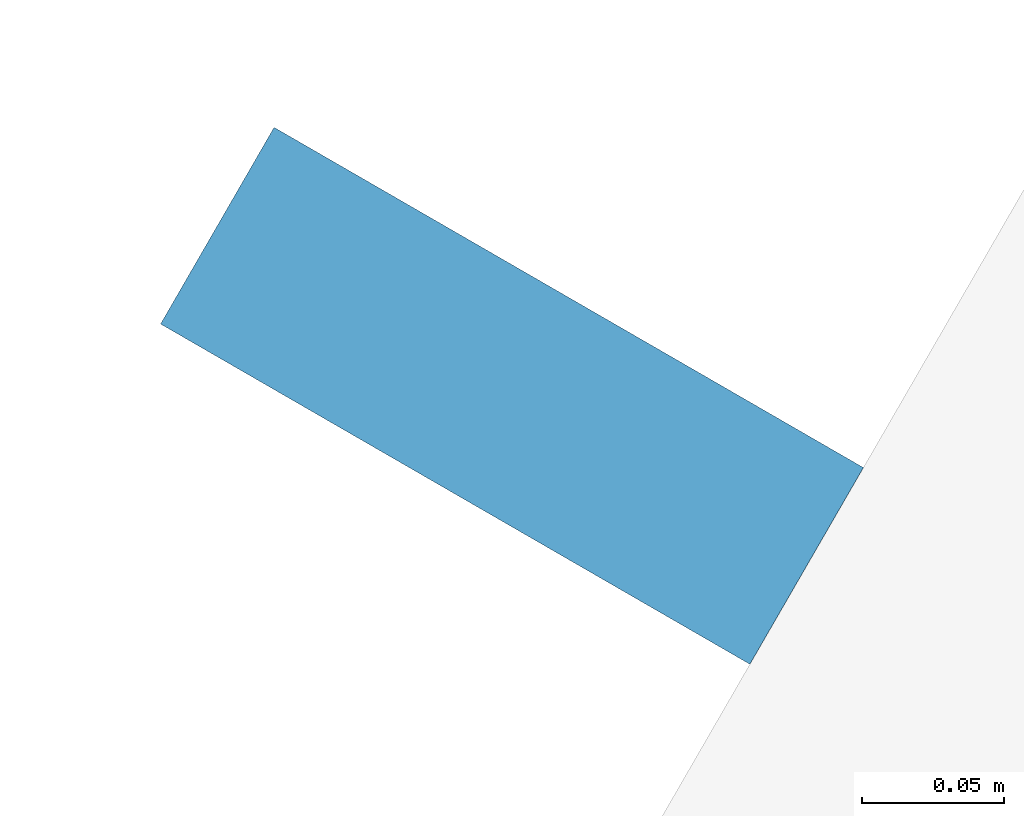
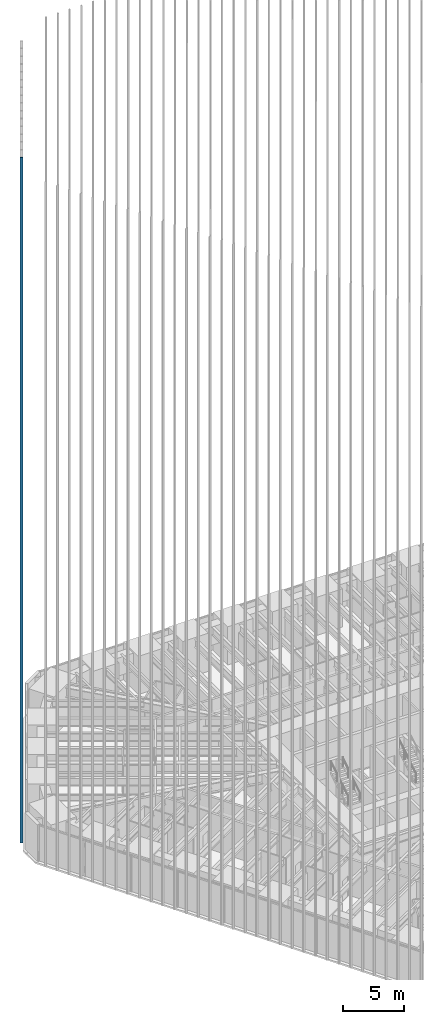
# One storey, part 136 of 256: 1 member, 1 element without a shape of its own.
"""IFC4 building model written with IfcOpenShell, lengths in metres."""

from ifc_helpers import new_model, si_unit, direction, frame, origin, origin_2d, place, context, subcontext, project, spatial, rectangle, extrude, material, material_profile, profile_set, type_object, element, aggregate, save


model = new_model("IFC4")

# Units and contexts
model_context = context("Model", 3, precision=1e-05, world=origin(), true_north=direction((0.0, 1.0)))
body_context = subcontext(model_context, "Body", "Model", "MODEL_VIEW")
ifc_project = project(units=[si_unit("LENGTHUNIT", "METRE"), si_unit("AREAUNIT", "SQUARE_METRE"), si_unit("VOLUMEUNIT", "CUBIC_METRE"), si_unit("PLANEANGLEUNIT", "RADIAN"), si_unit("MASSUNIT", "GRAM", prefix="KILO")], contexts=[model_context])

# Site, building, storey
site_placement = place(None, origin())
site = spatial("IfcSite", under=ifc_project, at=site_placement, CompositionType="ELEMENT")
building_placement = place(site_placement, origin())
building = spatial("IfcBuilding", under=site, at=building_placement, Name="Sandreach Pilgrim Tower", CompositionType="ELEMENT")
storey_placement = place(building_placement, frame((0.0, 0.0, 23.0)))
storey = spatial("IfcBuildingStorey", under=building, at=storey_placement, Name="L04", CompositionType="ELEMENT", Elevation=23.0)

# Curtain wall, member
ifc_material_1 = material(Name="Aluminium framed curtain wall", Category="aluminium")
curtain_wall_type = type_object("IfcCurtainWallType", Name="Hostel tower curtain wall", PredefinedType="NOTDEFINED", material=ifc_material_1)
curtain_wall_placement = place(storey_placement, origin())
curtain_wall = element("IfcCurtainWall", 1, at=curtain_wall_placement, inside=storey, type_object=curtain_wall_type, Name="CW-1 L04 NW", PredefinedType="NOTDEFINED")
ifc_material_2 = material(Name="Extruded terracotta on aluminium core", Category="masonry")
ifc_material_profile = material_profile(ifc_material_2, rectangle(XDim=0.080078125, YDim=0.239990234375, at=origin_2d()), Name="TBW 80X240")
ifc_profile_set = profile_set([ifc_material_profile], Name="Extruded terracotta on aluminium core")
member_type = type_object("IfcMemberType", Name="Terracotta baguette west", PredefinedType="USERDEFINED", material=ifc_profile_set)
member_placement = place(storey_placement, frame((-30.50732421875, 8.021484375, 0.0), z_axis=(0.0, 0.0, 1.0), x_axis=(0.5, 0.866025403784, 0.0)))
member = element("IfcMember", 2, at=member_placement, type_object=member_type, Name="Baguette Z1 NW01", ObjectType="BAGUETTE", PredefinedType="USERDEFINED", context=body_context, shape_type="SweptSolid", body=[
    extrude(rectangle(XDim=0.080078125, YDim=0.239990234375, at=origin_2d()), origin(), (0.0, 0.0, 1.0), 68.239990234375),
])
aggregate(curtain_wall, [member])

save(model, "model.ifc")
